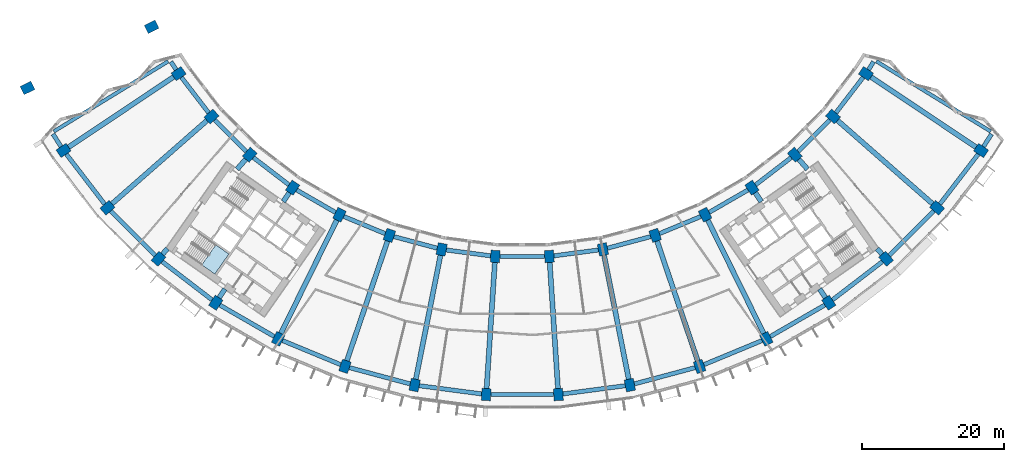
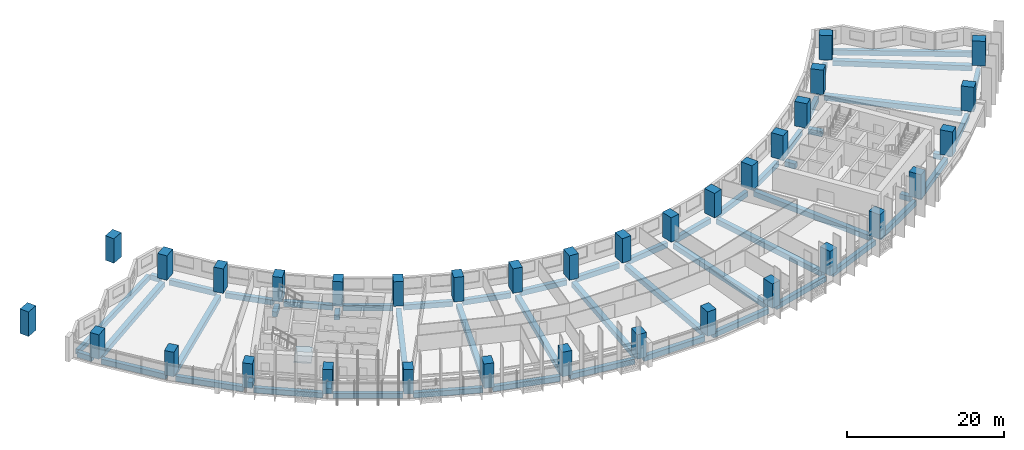
# One storey, part 1 of 32: 56 beams, 34 columns, 1 slab, 1 element without a shape of its own.
"""IFC4 building model written with IfcOpenShell, lengths in metres."""

from ifc_helpers import new_model, si_unit, direction, frame, origin, origin_2d, place, context, subcontext, project, spatial, polyline, rectangle, outline, extrude, material, layer, layer_set, material_profile, profile_set, type_object, element, aggregate, save


model = new_model("IFC4")

# Units and contexts
model_context = context("Model", 3, precision=1e-05, world=origin(), true_north=direction((0.0, 1.0)))
body_context = subcontext(model_context, "Body", "Model", "MODEL_VIEW")
ifc_project = project(units=[si_unit("LENGTHUNIT", "METRE"), si_unit("AREAUNIT", "SQUARE_METRE"), si_unit("VOLUMEUNIT", "CUBIC_METRE"), si_unit("PLANEANGLEUNIT", "RADIAN"), si_unit("MASSUNIT", "GRAM", prefix="KILO")], contexts=[model_context])

# Site, building, storey
site_placement = place(None, origin())
site = spatial("IfcSite", under=ifc_project, at=site_placement, CompositionType="ELEMENT")
building_placement = place(site_placement, origin())
building = spatial("IfcBuilding", under=site, at=building_placement, Name="Qamariyya Broadcast Tower", CompositionType="ELEMENT")
storey_placement = place(building_placement, frame((0.0, 0.0, 70.89990234375)))
storey = spatial("IfcBuildingStorey", under=building, at=storey_placement, Name="L14", CompositionType="ELEMENT", Elevation=70.89990234375)

# Columns
ifc_material_1 = material(Name="Concrete C70/85", Category="concrete")
ifc_material_profile_1 = material_profile(ifc_material_1, rectangle(XDim=1.300048828125, YDim=1.699951171875, at=origin_2d()))
ifc_profile_set_1 = profile_set([ifc_material_profile_1], Name="Concrete C70/85")
column_type = type_object("IfcColumnType", Name="RC column 1300 x 1700 C70/85", PredefinedType="COLUMN", material=ifc_profile_set_1)
for number, where, z_axis, x_axis, name in (
    (1, (-48.43310546875, -32.362060546875, 0.0), (0.0, 0.0, 1.0), (0.55557023302, -0.831469612303, 0.0), "Column C5 L14 B-R03"),
    (2, (-64.646728515625, -43.195556640625, 0.0), (0.0, 0.0, 1.0), (0.55557023302, -0.831469612303, 0.0), "Column C5 L14 C-R03"),
    (3, (-43.794677734375, -38.406982421875, 0.0), (0.0, 0.0, 1.0), (0.6593458151, -0.751839807479, 0.0), "Column C5 L14 B-R04"),
    (4, (-58.45556640625, -51.26416015625, 0.0), (0.0, 0.0, 1.0), (0.6593458151, -0.751839807479, 0.0), "Column C5 L14 C-R04"),
    (5, (-38.406982421875, -43.794677734375, 0.0), (0.0, 0.0, 1.0), (0.751839807479, -0.6593458151, 0.0), "Column C5 L14 B-R05"),
    (6, (-51.26416015625, -58.45556640625, 0.0), (0.0, 0.0, 1.0), (0.751839807479, -0.6593458151, 0.0), "Column C5 L14 C-R05"),
    (7, (-32.362060546875, -48.43310546875, 0.0), (0.0, 0.0, 1.0), (0.831469612303, -0.55557023302, 0.0), "Column C5 L14 B-R06"),
    (8, (-43.195556640625, -64.646728515625, 0.0), (0.0, 0.0, 1.0), (0.831469612303, -0.55557023302, 0.0), "Column C5 L14 C-R06"),
    (9, (-25.763427734375, -52.242919921875, 0.0), (0.0, 0.0, 1.0), (0.896872741533, -0.442288690219, 0.0), "Column C5 L14 B-R07"),
    (10, (-34.387939453125, -69.73193359375, 0.0), (0.0, 0.0, 1.0), (0.896872741533, -0.442288690219, 0.0), "Column C5 L14 C-R07"),
    (11, (-18.723876953125, -55.15869140625, 0.0), (0.0, 0.0, 1.0), (0.946930129495, -0.321439465303, 0.0), "Column C5 L14 B-R08"),
    (12, (-24.991943359375, -73.623779296875, 0.0), (0.0, 0.0, 1.0), (0.946930129495, -0.321439465303, 0.0), "Column C5 L14 C-R08"),
    (13, (-11.364013671875, -57.130859375, 0.0), (0.0, 0.0, 1.0), (0.980785280403, -0.195090322016, 0.0), "Column C5 L14 B-R09"),
    (14, (-15.168212890625, -76.256103515625, 0.0), (0.0, 0.0, 1.0), (0.980785280403, -0.195090322016, 0.0), "Column C5 L14 C-R09"),
    (15, (-3.809814453125, -58.125244140625, 0.0), (0.0, 0.0, 1.0), (0.997858923239, -0.06540312923, 0.0), "Column C5 L14 B-R10"),
    (16, (-5.085205078125, -77.58349609375, 0.0), (0.0, 0.0, 1.0), (0.997858923239, -0.06540312923, 0.0), "Column C5 L14 C-R10"),
    (17, (3.809814453125, -58.125244140625, 0.0), (0.0, 0.0, 1.0), (0.997858923239, 0.06540312923, 0.0), "Column C5 L14 B-R11"),
    (18, (5.085205078125, -77.58349609375, 0.0), (0.0, 0.0, 1.0), (0.997858923239, 0.06540312923, 0.0), "Column C5 L14 C-R11"),
    (19, (11.364013671875, -57.130859375, 0.0), (0.0, 0.0, 1.0), (0.980785280403, 0.195090322016, 0.0), "Column C5 L14 B-R12"),
    (20, (15.168212890625, -76.256103515625, 0.0), (0.0, 0.0, 1.0), (0.980785280403, 0.195090322016, 0.0), "Column C5 L14 C-R12"),
    (21, (18.723876953125, -55.15869140625, 0.0), (0.0, 0.0, 1.0), (0.946930129495, 0.321439465303, 0.0), "Column C5 L14 B-R13"),
    (22, (24.991943359375, -73.623779296875, 0.0), (0.0, 0.0, 1.0), (0.946930129495, 0.321439465303, 0.0), "Column C5 L14 C-R13"),
    (23, (25.763427734375, -52.242919921875, 0.0), (0.0, 0.0, 1.0), (0.896872741533, 0.442288690219, 0.0), "Column C5 L14 B-R14"),
    (24, (34.387939453125, -69.73193359375, 0.0), (0.0, 0.0, 1.0), (0.896872741533, 0.442288690219, 0.0), "Column C5 L14 C-R14"),
    (25, (32.362060546875, -48.43310546875, 0.0), (0.0, 0.0, 1.0), (0.831469612303, 0.55557023302, 0.0), "Column C5 L14 B-R15"),
    (26, (43.195556640625, -64.646728515625, 0.0), (0.0, 0.0, 1.0), (0.831469612303, 0.55557023302, 0.0), "Column C5 L14 C-R15"),
    (27, (38.406982421875, -43.794677734375, 0.0), (0.0, 0.0, 1.0), (0.751839807479, 0.6593458151, 0.0), "Column C5 L14 B-R16"),
    (28, (51.26416015625, -58.45556640625, 0.0), (0.0, 0.0, 1.0), (0.751839807479, 0.6593458151, 0.0), "Column C5 L14 C-R16"),
    (29, (43.794677734375, -38.406982421875, 0.0), (0.0, 0.0, 1.0), (0.6593458151, 0.751839807479, 0.0), "Column C5 L14 B-R17"),
    (30, (58.45556640625, -51.26416015625, 0.0), (0.0, 0.0, 1.0), (0.6593458151, 0.751839807479, 0.0), "Column C5 L14 C-R17"),
    (31, (48.43310546875, -32.362060546875, 0.0), (0.0, 0.0, 1.0), (0.55557023302, 0.831469612303, 0.0), "Column C5 L14 B-R18"),
    (32, (64.646728515625, -43.195556640625, 0.0), (0.0, 0.0, 1.0), (0.55557023302, 0.831469612303, 0.0), "Column C5 L14 C-R18"),
    (33, (-52.242919921875, -25.763427734375, 0.0), (0.0, 0.0, 1.0), (0.442288690219, -0.896872741533, 0.0), "Column C5 L14 B-R02"),
    (34, (-69.73193359375, -34.387939453125, 0.0), (0.0, 0.0, 1.0), (0.442288690219, -0.896872741533, 0.0), "Column C5 L14 C-R02"),
):
    element("IfcColumn", number, at=place(storey_placement, frame(where, z_axis=z_axis, x_axis=x_axis)), inside=storey, type_object=column_type, Name=name, PredefinedType="COLUMN", context=body_context, shape_type="SweptSolid", body=[
        extrude(rectangle(XDim=1.300048828125, YDim=1.699951171875, at=origin_2d()), origin(), (0.0, 0.0, 1.0), 3.800048828125),
    ])

# Beams
ifc_material_2 = material(Name="Concrete C50/60", Category="concrete")
ifc_material_profile_2 = material_profile(ifc_material_2, rectangle(XDim=0.60009765625, YDim=0.800048828125, at=origin_2d()))
ifc_profile_set_2 = profile_set([ifc_material_profile_2], Name="Concrete C50/60")
beam_type_1 = type_object("IfcBeamType", Name="RC edge beam 600 x 800 C50/60", PredefinedType="SPANDREL", material=ifc_profile_set_2)
beam_1_placement = place(storey_placement, frame((-48.03662109375, -32.878662109375, -0.699951171875), z_axis=(0.608763348773, -0.7933518672, 0.0), x_axis=(0.7933518672, 0.608763348773, 0.0)))
element("IfcBeam", 35, at=beam_1_placement, inside=storey, type_object=beam_type_1, Name="Edge beam B6 L14 B R03-R04", PredefinedType="SPANDREL", context=body_context, shape_type="SweptSolid", body=[
    extrude(rectangle(XDim=0.60009765625, YDim=0.800048828125, at=origin_2d()), origin(), (0.0, 0.0, 1.0), 6.31689453125),
])
beam_2_placement = place(storey_placement, frame((-43.333984375, -38.867431640625, -0.699951171875), z_axis=(0.707106781187, -0.707106781187, 0.0), x_axis=(0.707106781187, 0.707106781187, 0.0)))
element("IfcBeam", 36, at=beam_2_placement, inside=storey, type_object=beam_type_1, Name="Edge beam B6 L14 B R04-R05", PredefinedType="SPANDREL", context=body_context, shape_type="SweptSolid", body=[
    extrude(rectangle(XDim=0.60009765625, YDim=0.800048828125, at=origin_2d()), origin(), (0.0, 0.0, 1.0), 6.316650390625),
])
for number, where, z_axis, x_axis, name in (
    (37, (-37.89013671875, -44.191162109375, -0.699951171875), (0.7933518672, -0.608763348773, 0.0), (0.608763348773, 0.7933518672, 0.0), "Edge beam B6 L14 B R05-R06"),
    (38, (-31.7978515625, -48.7587890625, -0.699951171875), (0.866020173512, -0.500009058987, 0.0), (0.500009058987, 0.866020173512, 0.0), "Edge beam B6 L14 B R06-R07"),
):
    element("IfcBeam", number, at=place(storey_placement, frame(where, z_axis=z_axis, x_axis=x_axis)), inside=storey, type_object=beam_type_1, Name=name, PredefinedType="SPANDREL", context=body_context, shape_type="SweptSolid", body=[
        extrude(rectangle(XDim=0.60009765625, YDim=0.800048828125, at=origin_2d()), origin(), (0.0, 0.0, 1.0), 6.31689453125),
    ])
for number, where, z_axis, x_axis, name in (
    (39, (-25.16162109375, -52.4921875, -0.699951171875), (0.923884465345, -0.382671523234, 0.0), (0.382671523234, 0.923884465345, 0.0), "Edge beam B6 L14 B R07-R08"),
    (40, (-18.0947265625, -55.327392578125, -0.699951171875), (0.965931490327, -0.258797905699, 0.0), (0.258797905699, 0.965931490327, 0.0), "Edge beam B6 L14 B R08-R09"),
    (41, (-10.71826171875, -57.2158203125, -0.699951171875), (0.991445610946, -0.130520498525, 0.0), (0.130520498525, 0.991445610946, 0.0), "Edge beam B6 L14 B R09-R10"),
):
    element("IfcBeam", number, at=place(storey_placement, frame(where, z_axis=z_axis, x_axis=x_axis)), inside=storey, type_object=beam_type_1, Name=name, PredefinedType="SPANDREL", context=body_context, shape_type="SweptSolid", body=[
        extrude(rectangle(XDim=0.60009765625, YDim=0.800048828125, at=origin_2d()), origin(), (0.0, 0.0, 1.0), 6.316650390625),
    ])
beam_3_placement = place(storey_placement, frame((-3.158447265625, -58.125244140625, -0.699951171875), z_axis=(1.0, 0.0, 0.0), x_axis=(0.0, 1.0, 0.0)))
element("IfcBeam", 42, at=beam_3_placement, inside=storey, type_object=beam_type_1, Name="Edge beam B6 L14 B R10-R11", PredefinedType="SPANDREL", context=body_context, shape_type="SweptSolid", body=[
    extrude(rectangle(XDim=0.60009765625, YDim=0.800048828125, at=origin_2d()), origin(), (0.0, 0.0, 1.0), 6.31689453125),
])
for number, where, z_axis, x_axis, name in (
    (43, (4.45556640625, -58.040283203125, -0.699951171875), (0.991445610946, 0.130520498525, 0.0), (-0.130520498525, 0.991445610946, 0.0), "Edge beam B6 L14 B R11-R12"),
    (44, (11.9931640625, -56.962158203125, -0.699951171875), (0.965931490327, 0.258797905699, 0.0), (-0.258797905699, 0.965931490327, 0.0), "Edge beam B6 L14 B R12-R13"),
    (45, (19.32568359375, -54.909423828125, -0.699951171875), (0.923884465345, 0.382671523234, 0.0), (-0.382671523234, 0.923884465345, 0.0), "Edge beam B6 L14 B R13-R14"),
):
    element("IfcBeam", number, at=place(storey_placement, frame(where, z_axis=z_axis, x_axis=x_axis)), inside=storey, type_object=beam_type_1, Name=name, PredefinedType="SPANDREL", context=body_context, shape_type="SweptSolid", body=[
        extrude(rectangle(XDim=0.60009765625, YDim=0.800048828125, at=origin_2d()), origin(), (0.0, 0.0, 1.0), 6.316650390625),
    ])
for number, where, z_axis, x_axis, name in (
    (46, (26.327392578125, -51.917236328125, -0.699951171875), (0.866020173512, 0.500009058987, 0.0), (-0.500009058987, 0.866020173512, 0.0), "Edge beam B6 L14 B R14-R15"),
    (47, (32.878662109375, -48.03662109375, -0.699951171875), (0.7933518672, 0.608763348773, 0.0), (-0.608763348773, 0.7933518672, 0.0), "Edge beam B6 L14 B R15-R16"),
):
    element("IfcBeam", number, at=place(storey_placement, frame(where, z_axis=z_axis, x_axis=x_axis)), inside=storey, type_object=beam_type_1, Name=name, PredefinedType="SPANDREL", context=body_context, shape_type="SweptSolid", body=[
        extrude(rectangle(XDim=0.60009765625, YDim=0.800048828125, at=origin_2d()), origin(), (0.0, 0.0, 1.0), 6.31689453125),
    ])
beam_4_placement = place(storey_placement, frame((38.867431640625, -43.333984375, -0.699951171875), z_axis=(0.707106781187, 0.707106781187, 0.0), x_axis=(-0.707106781187, 0.707106781187, 0.0)))
element("IfcBeam", 48, at=beam_4_placement, inside=storey, type_object=beam_type_1, Name="Edge beam B6 L14 B R16-R17", PredefinedType="SPANDREL", context=body_context, shape_type="SweptSolid", body=[
    extrude(rectangle(XDim=0.60009765625, YDim=0.800048828125, at=origin_2d()), origin(), (0.0, 0.0, 1.0), 6.316650390625),
])
beam_5_placement = place(storey_placement, frame((44.191162109375, -37.89013671875, -0.699951171875), z_axis=(0.608763348773, 0.7933518672, 0.0), x_axis=(-0.7933518672, 0.608763348773, 0.0)))
element("IfcBeam", 49, at=beam_5_placement, inside=storey, type_object=beam_type_1, Name="Edge beam B6 L14 B R17-R18", PredefinedType="SPANDREL", context=body_context, shape_type="SweptSolid", body=[
    extrude(rectangle(XDim=0.60009765625, YDim=0.800048828125, at=origin_2d()), origin(), (0.0, 0.0, 1.0), 6.31689453125),
])
beam_6_placement = place(storey_placement, frame((-64.250244140625, -43.71240234375, -0.699951171875), z_axis=(0.608769622928, -0.793347052809, 0.0), x_axis=(0.793347052809, 0.608769622928, 0.0)))
element("IfcBeam", 50, at=beam_6_placement, inside=storey, type_object=beam_type_1, Name="Edge beam B6 L14 C R03-R04", PredefinedType="SPANDREL", context=body_context, shape_type="SweptSolid", body=[
    extrude(rectangle(XDim=0.60009765625, YDim=0.800048828125, at=origin_2d()), origin(), (0.0, 0.0, 1.0), 8.867431640625),
])
beam_7_placement = place(storey_placement, frame((-57.994873046875, -51.724853515625, -0.699951171875), z_axis=(0.707106781187, -0.707106781187, 0.0), x_axis=(0.707106781187, 0.707106781187, 0.0)))
element("IfcBeam", 51, at=beam_7_placement, inside=storey, type_object=beam_type_1, Name="Edge beam B6 L14 C R04-R05", PredefinedType="SPANDREL", context=body_context, shape_type="SweptSolid", body=[
    extrude(rectangle(XDim=0.60009765625, YDim=0.800048828125, at=origin_2d()), origin(), (0.0, 0.0, 1.0), 8.8671875),
])
beam_8_placement = place(storey_placement, frame((-50.747314453125, -58.85205078125, -0.699951171875), z_axis=(0.793347052809, -0.608769622928, 0.0), x_axis=(0.608769622928, 0.793347052809, 0.0)))
element("IfcBeam", 52, at=beam_8_placement, inside=storey, type_object=beam_type_1, Name="Edge beam B6 L14 C R05-R06", PredefinedType="SPANDREL", context=body_context, shape_type="SweptSolid", body=[
    extrude(rectangle(XDim=0.60009765625, YDim=0.800048828125, at=origin_2d()), origin(), (0.0, 0.0, 1.0), 8.867431640625),
])
beam_9_placement = place(storey_placement, frame((-42.63134765625, -64.972412109375, -0.699951171875), z_axis=(0.866013187848, -0.500021158025, 0.0), x_axis=(0.500021158025, 0.866013187848, 0.0)))
element("IfcBeam", 53, at=beam_9_placement, inside=storey, type_object=beam_type_1, Name="Edge beam B6 L14 C R06-R07", PredefinedType="SPANDREL", context=body_context, shape_type="SweptSolid", body=[
    extrude(rectangle(XDim=0.60009765625, YDim=0.800048828125, at=origin_2d()), origin(), (0.0, 0.0, 1.0), 8.8671875),
])
for number, where, z_axis, x_axis, name in (
    (54, (-33.7861328125, -69.981201171875, -0.699951171875), (0.923882942367, -0.382675200142, 0.0), (0.382675200142, 0.923882942367, 0.0), "Edge beam B6 L14 C R07-R08"),
    (55, (-24.36279296875, -73.79248046875, -0.699951171875), (0.965930847021, -0.258800306749, 0.0), (0.258800306749, 0.965930847021, 0.0), "Edge beam B6 L14 C R08-R09"),
    (56, (-14.5224609375, -76.341064453125, -0.699951171875), (0.991444171706, -0.13053143066, 0.0), (0.13053143066, 0.991444171706, 0.0), "Edge beam B6 L14 C R09-R10"),
):
    element("IfcBeam", number, at=place(storey_placement, frame(where, z_axis=z_axis, x_axis=x_axis)), inside=storey, type_object=beam_type_1, Name=name, PredefinedType="SPANDREL", context=body_context, shape_type="SweptSolid", body=[
        extrude(rectangle(XDim=0.60009765625, YDim=0.800048828125, at=origin_2d()), origin(), (0.0, 0.0, 1.0), 8.867431640625),
    ])
beam_10_placement = place(storey_placement, frame((-4.43359375, -77.58349609375, -0.699951171875), z_axis=(1.0, 0.0, 0.0), x_axis=(0.0, 1.0, 0.0)))
element("IfcBeam", 57, at=beam_10_placement, inside=storey, type_object=beam_type_1, Name="Edge beam B6 L14 C R10-R11", PredefinedType="SPANDREL", context=body_context, shape_type="SweptSolid", body=[
    extrude(rectangle(XDim=0.60009765625, YDim=0.800048828125, at=origin_2d()), origin(), (0.0, 0.0, 1.0), 8.8671875),
])
for number, where, z_axis, x_axis, name in (
    (58, (5.73095703125, -77.49853515625, -0.699951171875), (0.991444171706, 0.13053143066, 0.0), (-0.13053143066, 0.991444171706, 0.0), "Edge beam B6 L14 C R11-R12"),
    (59, (15.79736328125, -76.08740234375, -0.699951171875), (0.965930847021, 0.258800306749, 0.0), (-0.258800306749, 0.965930847021, 0.0), "Edge beam B6 L14 C R12-R13"),
    (60, (25.59375, -73.37451171875, -0.699951171875), (0.923882942367, 0.382675200142, 0.0), (-0.382675200142, 0.923882942367, 0.0), "Edge beam B6 L14 C R13-R14"),
):
    element("IfcBeam", number, at=place(storey_placement, frame(where, z_axis=z_axis, x_axis=x_axis)), inside=storey, type_object=beam_type_1, Name=name, PredefinedType="SPANDREL", context=body_context, shape_type="SweptSolid", body=[
        extrude(rectangle(XDim=0.60009765625, YDim=0.800048828125, at=origin_2d()), origin(), (0.0, 0.0, 1.0), 8.867431640625),
    ])
beam_11_placement = place(storey_placement, frame((34.9521484375, -69.40625, -0.699951171875), z_axis=(0.866013187848, 0.500021158025, 0.0), x_axis=(-0.500021158025, 0.866013187848, 0.0)))
element("IfcBeam", 61, at=beam_11_placement, inside=storey, type_object=beam_type_1, Name="Edge beam B6 L14 C R14-R15", PredefinedType="SPANDREL", context=body_context, shape_type="SweptSolid", body=[
    extrude(rectangle(XDim=0.60009765625, YDim=0.800048828125, at=origin_2d()), origin(), (0.0, 0.0, 1.0), 8.8671875),
])
beam_12_placement = place(storey_placement, frame((43.71240234375, -64.250244140625, -0.699951171875), z_axis=(0.793347052809, 0.608769622928, 0.0), x_axis=(-0.608769622928, 0.793347052809, 0.0)))
element("IfcBeam", 62, at=beam_12_placement, inside=storey, type_object=beam_type_1, Name="Edge beam B6 L14 C R15-R16", PredefinedType="SPANDREL", context=body_context, shape_type="SweptSolid", body=[
    extrude(rectangle(XDim=0.60009765625, YDim=0.800048828125, at=origin_2d()), origin(), (0.0, 0.0, 1.0), 8.867431640625),
])
beam_13_placement = place(storey_placement, frame((51.724853515625, -57.994873046875, -0.699951171875), z_axis=(0.707106781187, 0.707106781187, 0.0), x_axis=(-0.707106781187, 0.707106781187, 0.0)))
element("IfcBeam", 63, at=beam_13_placement, inside=storey, type_object=beam_type_1, Name="Edge beam B6 L14 C R16-R17", PredefinedType="SPANDREL", context=body_context, shape_type="SweptSolid", body=[
    extrude(rectangle(XDim=0.60009765625, YDim=0.800048828125, at=origin_2d()), origin(), (0.0, 0.0, 1.0), 8.8671875),
])
beam_14_placement = place(storey_placement, frame((58.85205078125, -50.747314453125, -0.699951171875), z_axis=(0.608769622928, 0.793347052809, 0.0), x_axis=(-0.793347052809, 0.608769622928, 0.0)))
element("IfcBeam", 64, at=beam_14_placement, inside=storey, type_object=beam_type_1, Name="Edge beam B6 L14 C R17-R18", PredefinedType="SPANDREL", context=body_context, shape_type="SweptSolid", body=[
    extrude(rectangle(XDim=0.60009765625, YDim=0.800048828125, at=origin_2d()), origin(), (0.0, 0.0, 1.0), 8.867431640625),
])
ifc_material_profile_3 = material_profile(ifc_material_2, rectangle(XDim=0.60009765625, YDim=0.800048828125, at=origin_2d()))
ifc_profile_set_3 = profile_set([ifc_material_profile_3], Name="Concrete C50/60")
beam_type_2 = type_object("IfcBeamType", Name="RC horn beam 600 x 800 C50/60", PredefinedType="BEAM", material=ifc_profile_set_3)
beam_15_placement = place(storey_placement, frame((-48.78369140625, -31.814453125, -0.699951171875), z_axis=(-0.539475155247, 0.842001518331, 0.0), x_axis=(-0.842001518331, -0.539475155247, 0.0)))
element("IfcBeam", 65, at=beam_15_placement, inside=storey, type_object=beam_type_2, Name="Horn beam B7 L14 W B-R03", PredefinedType="BEAM", context=body_context, shape_type="SweptSolid", body=[
    extrude(rectangle(XDim=0.60009765625, YDim=0.800048828125, at=origin_2d()), origin(), (0.0, 0.0, 1.0), 1.34765625),
])
beam_16_placement = place(storey_placement, frame((-64.99755859375, -42.648193359375, -0.699951171875), z_axis=(-0.539423126913, 0.842034850912, 0.0), x_axis=(-0.842034850912, -0.539423126913, 0.0)))
element("IfcBeam", 66, at=beam_16_placement, inside=storey, type_object=beam_type_2, Name="Horn beam B7 L14 W C-R03", PredefinedType="BEAM", context=body_context, shape_type="SweptSolid", body=[
    extrude(rectangle(XDim=0.60009765625, YDim=0.800048828125, at=origin_2d()), origin(), (0.0, 0.0, 1.0), 2.10009765625),
])
beam_17_placement = place(storey_placement, frame((48.78369140625, -31.814453125, -0.699951171875), z_axis=(0.539475155247, 0.842001518331, 0.0), x_axis=(-0.842001518331, 0.539475155247, 0.0)))
element("IfcBeam", 67, at=beam_17_placement, inside=storey, type_object=beam_type_2, Name="Horn beam B7 L14 E B-R18", PredefinedType="BEAM", context=body_context, shape_type="SweptSolid", body=[
    extrude(rectangle(XDim=0.60009765625, YDim=0.800048828125, at=origin_2d()), origin(), (0.0, 0.0, 1.0), 1.34765625),
])
beam_18_placement = place(storey_placement, frame((64.99755859375, -42.648193359375, -0.699951171875), z_axis=(0.539423126913, 0.842034850912, 0.0), x_axis=(-0.842034850912, 0.539423126913, 0.0)))
element("IfcBeam", 68, at=beam_18_placement, inside=storey, type_object=beam_type_2, Name="Horn beam B7 L14 E C-R18", PredefinedType="BEAM", context=body_context, shape_type="SweptSolid", body=[
    extrude(rectangle(XDim=0.60009765625, YDim=0.800048828125, at=origin_2d()), origin(), (0.0, 0.0, 1.0), 2.10009765625),
])
ifc_material_profile_4 = material_profile(ifc_material_2, rectangle(XDim=0.5, YDim=0.800048828125, at=origin_2d()))
ifc_profile_set_4 = profile_set([ifc_material_profile_4], Name="Concrete C50/60")
beam_type_3 = type_object("IfcBeamType", Name="RC horn cap beam 500 x 800 C50/60", PredefinedType="BEAM", material=ifc_profile_set_4)
for number, where, z_axis, x_axis, name in (
    (69, (-49.9013671875, -30.626220703125, -0.699951171875), (-0.852283072171, -0.523080839729, 0.0), (0.523080839729, -0.852283072171, 0.0), "Horn cap beam B8 L14 W B-C"),
    (70, (49.9013671875, -30.626220703125, -0.699951171875), (0.852283072171, -0.523080839729, 0.0), (0.523080839729, 0.852283072171, 0.0), "Horn cap beam B8 L14 E B-C"),
):
    element("IfcBeam", number, at=place(storey_placement, frame(where, z_axis=z_axis, x_axis=x_axis)), inside=storey, type_object=beam_type_3, Name=name, PredefinedType="BEAM", context=body_context, shape_type="SweptSolid", body=[
        extrude(rectangle(XDim=0.5, YDim=0.800048828125, at=origin_2d()), origin(), (0.0, 0.0, 1.0), 18.89990234375),
    ])
ifc_material_profile_5 = material_profile(ifc_material_2, rectangle(XDim=0.699951171875, YDim=0.800048828125, at=origin_2d()))
ifc_profile_set_5 = profile_set([ifc_material_profile_5], Name="Concrete C50/60")
beam_type_4 = type_object("IfcBeamType", Name="RC radial beam 700 x 800 C50/60", PredefinedType="BEAM", material=ifc_profile_set_5)
for number, where, z_axis, x_axis, name in (
    (71, (-49.139892578125, -32.834228515625, -0.699951171875), (-0.831467440413, -0.555573483469, 0.0), (0.555573483469, -0.831467440413, 0.0), "Radial beam B5 L14 R03 B-C"),
    (72, (-44.433837890625, -38.96728515625, -0.699951171875), (-0.751836168626, -0.659349964393, 0.0), (0.659349964393, -0.751836168626, 0.0), "Radial beam B5 L14 R04 B-C"),
):
    element("IfcBeam", number, at=place(storey_placement, frame(where, z_axis=z_axis, x_axis=x_axis)), inside=storey, type_object=beam_type_4, Name=name, PredefinedType="BEAM", context=body_context, shape_type="SweptSolid", body=[
        extrude(rectangle(XDim=0.699951171875, YDim=0.800048828125, at=origin_2d()), origin(), (0.0, 0.0, 1.0), 17.7998046875),
    ])
beam_19_placement = place(storey_placement, frame((-38.96728515625, -44.433837890625, -0.699951171875), z_axis=(-0.659385827408, -0.751804715743, 0.0), x_axis=(0.751804715743, -0.659385827408, 0.0)))
element("IfcBeam", 73, at=beam_19_placement, inside=storey, type_object=beam_type_4, Name="Radial beam B5 L14 R05 B-C", PredefinedType="BEAM", context=body_context, shape_type="SweptSolid", body=[
    extrude(rectangle(XDim=0.699951171875, YDim=0.800048828125, at=origin_2d()), origin(), (0.0, 0.0, 1.0), 1.8623046875),
])
beam_20_placement = place(storey_placement, frame((-50.011962890625, -57.027587890625, -0.699951171875), z_axis=(-0.659278599496, -0.751898748667, 0.0), x_axis=(0.751898748667, -0.659278599496, 0.0)))
element("IfcBeam", 74, at=beam_20_placement, inside=storey, type_object=beam_type_4, Name="Radial beam B5 L14 R05 B-C", PredefinedType="BEAM", context=body_context, shape_type="SweptSolid", body=[
    extrude(rectangle(XDim=0.699951171875, YDim=0.800048828125, at=origin_2d()), origin(), (0.0, 0.0, 1.0), 1.049072265625),
])
beam_21_placement = place(storey_placement, frame((-32.834228515625, -49.139892578125, -0.699951171875), z_axis=(-0.555518362002, -0.831504269068, 0.0), x_axis=(0.831504269068, -0.555518362002, 0.0)))
element("IfcBeam", 75, at=beam_21_placement, inside=storey, type_object=beam_type_4, Name="Radial beam B5 L14 R06 B-C", PredefinedType="BEAM", context=body_context, shape_type="SweptSolid", body=[
    extrude(rectangle(XDim=0.699951171875, YDim=0.800048828125, at=origin_2d()), origin(), (0.0, 0.0, 1.0), 1.514404296875),
])
beam_22_placement = place(storey_placement, frame((-41.89990234375, -62.707763671875, -0.699951171875), z_axis=(-0.555650227013, -0.831416156459, 0.0), x_axis=(0.831416156459, -0.555650227013, 0.0)))
element("IfcBeam", 76, at=beam_22_placement, inside=storey, type_object=beam_type_4, Name="Radial beam B5 L14 R06 B-C", PredefinedType="BEAM", context=body_context, shape_type="SweptSolid", body=[
    extrude(rectangle(XDim=0.699951171875, YDim=0.800048828125, at=origin_2d()), origin(), (0.0, 0.0, 1.0), 1.48193359375),
])
beam_23_placement = place(storey_placement, frame((-26.13916015625, -53.005126953125, -0.699951171875), z_axis=(-0.442291123934, -0.896871541353, 0.0), x_axis=(0.896871541353, -0.442291123934, 0.0)))
element("IfcBeam", 77, at=beam_23_placement, inside=storey, type_object=beam_type_4, Name="Radial beam B5 L14 R07 B-C", PredefinedType="BEAM", context=body_context, shape_type="SweptSolid", body=[
    extrude(rectangle(XDim=0.699951171875, YDim=0.800048828125, at=origin_2d()), origin(), (0.0, 0.0, 1.0), 17.800048828125),
])
beam_24_placement = place(storey_placement, frame((-18.9970703125, -55.963623046875, -0.699951171875), z_axis=(-0.321444599042, -0.94692838681, 0.0), x_axis=(0.94692838681, -0.321444599042, 0.0)))
element("IfcBeam", 78, at=beam_24_placement, inside=storey, type_object=beam_type_4, Name="Radial beam B5 L14 R08 B-C", PredefinedType="BEAM", context=body_context, shape_type="SweptSolid", body=[
    extrude(rectangle(XDim=0.699951171875, YDim=0.800048828125, at=origin_2d()), origin(), (0.0, 0.0, 1.0), 17.7998046875),
])
for number, where, z_axis, x_axis, name in (
    (79, (-11.52978515625, -57.96435546875, -0.699951171875), (-0.19509262344, -0.980784822619, 0.0), (0.980784822619, -0.19509262344, 0.0), "Radial beam B5 L14 R09 B-C"),
    (80, (-3.865234375, -58.973388671875, -0.699951171875), (-0.0654101824, -0.997858460924, 0.0), (0.997858460924, -0.0654101824, 0.0), "Radial beam B5 L14 R10 B-C"),
    (81, (3.865234375, -58.973388671875, -0.699951171875), (0.0654101824, -0.997858460924, 0.0), (0.997858460924, 0.0654101824, 0.0), "Radial beam B5 L14 R11 B-C"),
    (82, (11.52978515625, -57.96435546875, -0.699951171875), (0.19509262344, -0.980784822619, 0.0), (0.980784822619, 0.19509262344, 0.0), "Radial beam B5 L14 R12 B-C"),
):
    element("IfcBeam", number, at=place(storey_placement, frame(where, z_axis=z_axis, x_axis=x_axis)), inside=storey, type_object=beam_type_4, Name=name, PredefinedType="BEAM", context=body_context, shape_type="SweptSolid", body=[
        extrude(rectangle(XDim=0.699951171875, YDim=0.800048828125, at=origin_2d()), origin(), (0.0, 0.0, 1.0), 17.800048828125),
    ])
beam_25_placement = place(storey_placement, frame((18.9970703125, -55.963623046875, -0.699951171875), z_axis=(0.321444599042, -0.94692838681, 0.0), x_axis=(0.94692838681, 0.321444599042, 0.0)))
element("IfcBeam", 83, at=beam_25_placement, inside=storey, type_object=beam_type_4, Name="Radial beam B5 L14 R13 B-C", PredefinedType="BEAM", context=body_context, shape_type="SweptSolid", body=[
    extrude(rectangle(XDim=0.699951171875, YDim=0.800048828125, at=origin_2d()), origin(), (0.0, 0.0, 1.0), 17.7998046875),
])
beam_26_placement = place(storey_placement, frame((26.13916015625, -53.005126953125, -0.699951171875), z_axis=(0.442291123934, -0.896871541353, 0.0), x_axis=(0.896871541353, 0.442291123934, 0.0)))
element("IfcBeam", 84, at=beam_26_placement, inside=storey, type_object=beam_type_4, Name="Radial beam B5 L14 R14 B-C", PredefinedType="BEAM", context=body_context, shape_type="SweptSolid", body=[
    extrude(rectangle(XDim=0.699951171875, YDim=0.800048828125, at=origin_2d()), origin(), (0.0, 0.0, 1.0), 17.800048828125),
])
beam_27_placement = place(storey_placement, frame((32.834228515625, -49.139892578125, -0.699951171875), z_axis=(0.555518362002, -0.831504269068, 0.0), x_axis=(0.831504269068, 0.555518362002, 0.0)))
element("IfcBeam", 85, at=beam_27_placement, inside=storey, type_object=beam_type_4, Name="Radial beam B5 L14 R15 B-C", PredefinedType="BEAM", context=body_context, shape_type="SweptSolid", body=[
    extrude(rectangle(XDim=0.699951171875, YDim=0.800048828125, at=origin_2d()), origin(), (0.0, 0.0, 1.0), 1.514404296875),
])
beam_28_placement = place(storey_placement, frame((41.89990234375, -62.707763671875, -0.699951171875), z_axis=(0.555650227013, -0.831416156459, 0.0), x_axis=(0.831416156459, 0.555650227013, 0.0)))
element("IfcBeam", 86, at=beam_28_placement, inside=storey, type_object=beam_type_4, Name="Radial beam B5 L14 R15 B-C", PredefinedType="BEAM", context=body_context, shape_type="SweptSolid", body=[
    extrude(rectangle(XDim=0.699951171875, YDim=0.800048828125, at=origin_2d()), origin(), (0.0, 0.0, 1.0), 1.48193359375),
])
beam_29_placement = place(storey_placement, frame((38.96728515625, -44.433837890625, -0.699951171875), z_axis=(0.659385827408, -0.751804715743, 0.0), x_axis=(0.751804715743, 0.659385827408, 0.0)))
element("IfcBeam", 87, at=beam_29_placement, inside=storey, type_object=beam_type_4, Name="Radial beam B5 L14 R16 B-C", PredefinedType="BEAM", context=body_context, shape_type="SweptSolid", body=[
    extrude(rectangle(XDim=0.699951171875, YDim=0.800048828125, at=origin_2d()), origin(), (0.0, 0.0, 1.0), 1.8623046875),
])
beam_30_placement = place(storey_placement, frame((50.011962890625, -57.027587890625, -0.699951171875), z_axis=(0.659278599496, -0.751898748667, 0.0), x_axis=(0.751898748667, 0.659278599496, 0.0)))
element("IfcBeam", 88, at=beam_30_placement, inside=storey, type_object=beam_type_4, Name="Radial beam B5 L14 R16 B-C", PredefinedType="BEAM", context=body_context, shape_type="SweptSolid", body=[
    extrude(rectangle(XDim=0.699951171875, YDim=0.800048828125, at=origin_2d()), origin(), (0.0, 0.0, 1.0), 1.049072265625),
])
for number, where, z_axis, x_axis, name in (
    (89, (44.433837890625, -38.96728515625, -0.699951171875), (0.751836168626, -0.659349964393, 0.0), (0.659349964393, 0.751836168626, 0.0), "Radial beam B5 L14 R17 B-C"),
    (90, (49.139892578125, -32.834228515625, -0.699951171875), (0.831467440413, -0.555573483469, 0.0), (0.555573483469, 0.831467440413, 0.0), "Radial beam B5 L14 R18 B-C"),
):
    element("IfcBeam", number, at=place(storey_placement, frame(where, z_axis=z_axis, x_axis=x_axis)), inside=storey, type_object=beam_type_4, Name=name, PredefinedType="BEAM", context=body_context, shape_type="SweptSolid", body=[
        extrude(rectangle(XDim=0.699951171875, YDim=0.800048828125, at=origin_2d()), origin(), (0.0, 0.0, 1.0), 17.7998046875),
    ])

# Stair, slab
stair_type = type_object("IfcStairType", Name="Exit stair 22 risers of 173 mm", PredefinedType="HALF_TURN_STAIR", material=ifc_material_2)
stair_placement = place(storey_placement, origin())
stair = element("IfcStair", 91, at=stair_placement, inside=storey, type_object=stair_type, Name="L14 Stair W1", PredefinedType="HALF_TURN_STAIR")
ifc_layer = layer(ifc_material_2, 0.199951171875)
ifc_layer_set = layer_set([ifc_layer], Name="Stair landing")
slab_type = type_object("IfcSlabType", Name="Stair landing", PredefinedType="LANDING", material=ifc_layer_set)
slab_placement = place(storey_placement, frame((0.0, 0.0, 1.7001953125)))
slab = element("IfcSlab", 92, at=slab_placement, type_object=slab_type, Name="ST-W1 landing 1", PredefinedType="LANDING", context=body_context, shape_type="SweptSolid", body=[
    extrude(outline(polyline([(-45.169677734375, -59.319580078125), (-43.3271484375, -60.609619140625), (-41.348388671875, -57.783447265625), (-43.19091796875, -56.493408203125), (-45.169677734375, -59.319580078125)])), origin(), (0.0, 0.0, 1.0), 0.199951171875),
])
aggregate(stair, [slab])

save(model, "model.ifc")
